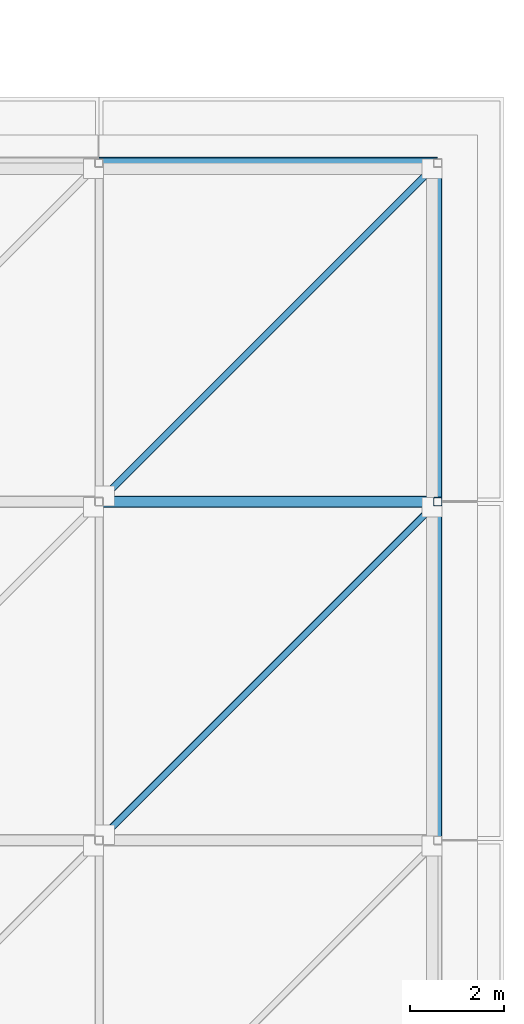
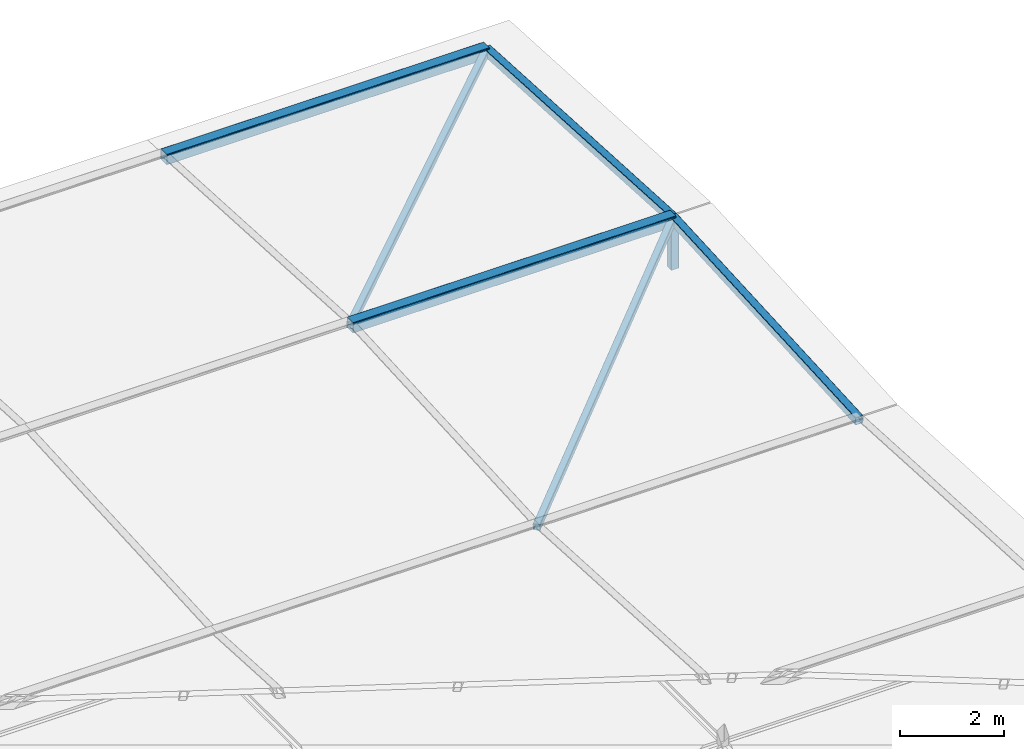
# One storey, part 7 of 15: 7 members.
"""IFC4 building model written with IfcOpenShell, lengths in metres."""

from ifc_helpers import new_model, si_unit, direction, frame, origin, origin_2d, place, context, subcontext, project, spatial, hollow_rectangle, extrude, material, material_profile, profile_set, type_object, element, save


model = new_model("IFC4")

# Units and contexts
model_context = context("Model", 3, precision=1e-05, world=origin(), true_north=direction((0.0, 1.0)))
body_context = subcontext(model_context, "Body", "Model", "MODEL_VIEW")
ifc_project = project(units=[si_unit("LENGTHUNIT", "METRE"), si_unit("AREAUNIT", "SQUARE_METRE"), si_unit("VOLUMEUNIT", "CUBIC_METRE"), si_unit("PLANEANGLEUNIT", "RADIAN"), si_unit("MASSUNIT", "GRAM", prefix="KILO")], contexts=[model_context])

# Site, building, storey
site_placement = place(None, origin())
site = spatial("IfcSite", under=ifc_project, at=site_placement, CompositionType="ELEMENT")
building_placement = place(site_placement, origin())
building = spatial("IfcBuilding", under=site, at=building_placement, Name="Kavelor Marine Aquarium", CompositionType="ELEMENT")
storey_placement = place(building_placement, frame((0.0, 0.0, 25.56005859375)))
storey = spatial("IfcBuildingStorey", under=building, at=storey_placement, Name="RF", CompositionType="ELEMENT", Elevation=25.56005859375)

# Members
ifc_material_1 = material(Name="Steel S355", Category="steel")
ifc_material_profile_1 = material_profile(ifc_material_1, hollow_rectangle(XDim=0.25, YDim=0.25, WallThickness=0.010009765625, InnerFilletRadius=0.014892578125, OuterFilletRadius=0.02490234375, at=origin_2d()), Name="SHS 250x250x10.0")
ifc_profile_set_1 = profile_set([ifc_material_profile_1], Name="Steel S355")
member_type_1 = type_object("IfcMemberType", Name="ST-PV1", PredefinedType="CHORD", material=ifc_profile_set_1)
for number, where, z_axis, x_axis, name in (
    (1, (140.0, 96.39990234375, 1.14990234375), (1.0, 0.0, 0.0), (0.0, 1.0, 0.0), "pv:x1:19_13"),
    (2, (140.0, 103.60009765625, 0.75), (1.0, 0.0, 0.0), (0.0, 1.0, 0.0), "pv:x2:19_13"),
):
    element("IfcMember", number, at=place(storey_placement, frame(where, z_axis=z_axis, x_axis=x_axis)), inside=storey, type_object=member_type_1, Name=name, PredefinedType="CHORD", context=body_context, shape_type="SweptSolid", body=[
        extrude(hollow_rectangle(XDim=0.25, YDim=0.25, WallThickness=0.010009765625, InnerFilletRadius=0.014892578125, OuterFilletRadius=0.02490234375, at=origin_2d()), origin(), (0.0, 0.0, 1.0), 7.199951171875),
    ])
ifc_material_2 = material(Name="Steel S355", Category="steel")
ifc_material_profile_2 = material_profile(ifc_material_2, hollow_rectangle(XDim=0.179931640625, YDim=0.179931640625, WallThickness=0.008056640625, InnerFilletRadius=0.011962890625, OuterFilletRadius=0.02001953125, at=origin_2d()), Name="SHS 180x180x8.0")
ifc_profile_set_2 = profile_set([ifc_material_profile_2], Name="Steel S355")
member_type_2 = type_object("IfcMemberType", Name="ST-PV2", PredefinedType="CHORD", material=ifc_profile_set_2)
member_1_placement = place(storey_placement, frame((147.199951171875, 96.39990234375, 0.0), z_axis=(0.0, 0.0, 1.0), x_axis=(1.0, 0.0, 0.0)))
element("IfcMember", 3, at=member_1_placement, inside=storey, type_object=member_type_2, Name="pv:p:20_13", PredefinedType="CHORD", context=body_context, shape_type="SweptSolid", body=[
    extrude(hollow_rectangle(XDim=0.179931640625, YDim=0.179931640625, WallThickness=0.008056640625, InnerFilletRadius=0.011962890625, OuterFilletRadius=0.02001953125, at=origin_2d()), origin(), (0.0, 0.0, 1.0), 1.14990234375),
])
member_2_placement = place(storey_placement, frame((147.199951171875, 89.199951171875, 0.75), z_axis=(0.0, 0.998461082335, 0.055456893726), x_axis=(-1.0, 0.0, 0.0)))
element("IfcMember", 4, at=member_2_placement, inside=storey, type_object=member_type_2, Name="pv:r2:19_12", PredefinedType="CHORD", context=body_context, shape_type="SweptSolid", body=[
    extrude(hollow_rectangle(XDim=0.179931640625, YDim=0.179931640625, WallThickness=0.008056640625, InnerFilletRadius=0.011962890625, OuterFilletRadius=0.02001953125, at=origin_2d()), origin(), (0.0, 0.0, 1.0), 7.2109375),
])
member_3_placement = place(storey_placement, frame((147.199951171875, 96.39990234375, 1.14990234375), z_axis=(0.0, 0.998461186455, -0.055455019104), x_axis=(-1.0, 0.0, 0.0)))
element("IfcMember", 5, at=member_3_placement, inside=storey, type_object=member_type_2, Name="pv:r2:19_13", PredefinedType="CHORD", context=body_context, shape_type="SweptSolid", body=[
    extrude(hollow_rectangle(XDim=0.179931640625, YDim=0.179931640625, WallThickness=0.008056640625, InnerFilletRadius=0.011962890625, OuterFilletRadius=0.02001953125, at=origin_2d()), origin(), (0.0, 0.0, 1.0), 7.211181640625),
])
ifc_material_3 = material(Name="Steel S355", Category="steel")
ifc_material_profile_3 = material_profile(ifc_material_3, hollow_rectangle(XDim=0.14990234375, YDim=0.14990234375, WallThickness=0.00634765625, InnerFilletRadius=0.009521484375, OuterFilletRadius=0.015869140625, at=origin_2d()), Name="SHS 150x150x6.3")
ifc_profile_set_3 = profile_set([ifc_material_profile_3], Name="Steel S355")
member_type_3 = type_object("IfcMemberType", Name="ST-PV3", PredefinedType="BRACE", material=ifc_profile_set_3)
for number, where, z_axis, x_axis, name in (
    (6, (140.0, 89.199951171875, 0.75), (0.706562063163, 0.706562063163, 0.039244130733), (-0.707106781187, 0.707106781187, 0.0), "pv:br:19_12"),
    (7, (140.0, 96.39990234375, 1.14990234375), (0.706550102431, 0.706574060591, -0.039243466406), (-0.7071187694, 0.70709479277, 0.0), "pv:br:19_13"),
):
    element("IfcMember", number, at=place(storey_placement, frame(where, z_axis=z_axis, x_axis=x_axis)), inside=storey, type_object=member_type_3, Name=name, PredefinedType="BRACE", context=body_context, shape_type="SweptSolid", body=[
        extrude(hollow_rectangle(XDim=0.14990234375, YDim=0.14990234375, WallThickness=0.00634765625, InnerFilletRadius=0.009521484375, OuterFilletRadius=0.015869140625, at=origin_2d()), origin(), (0.0, 0.0, 1.0), 10.190185546875),
    ])

save(model, "model.ifc")
